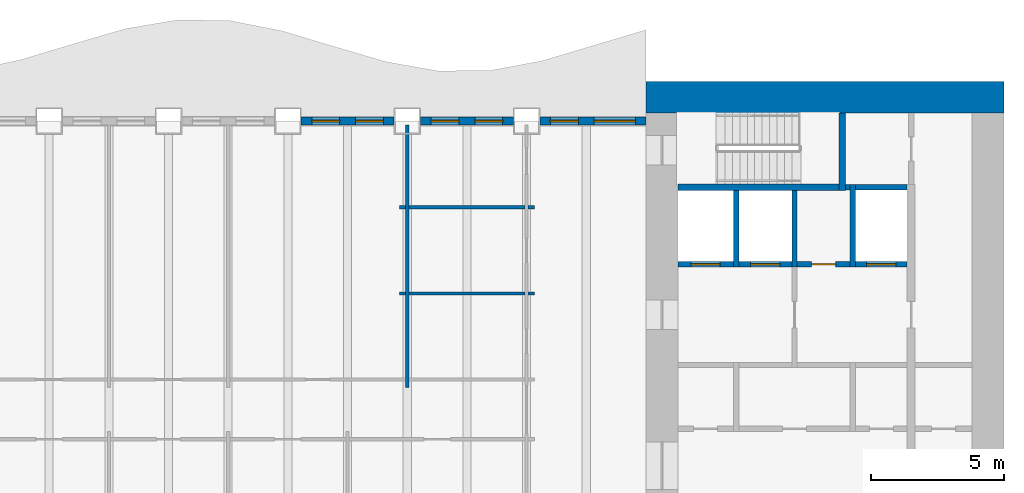
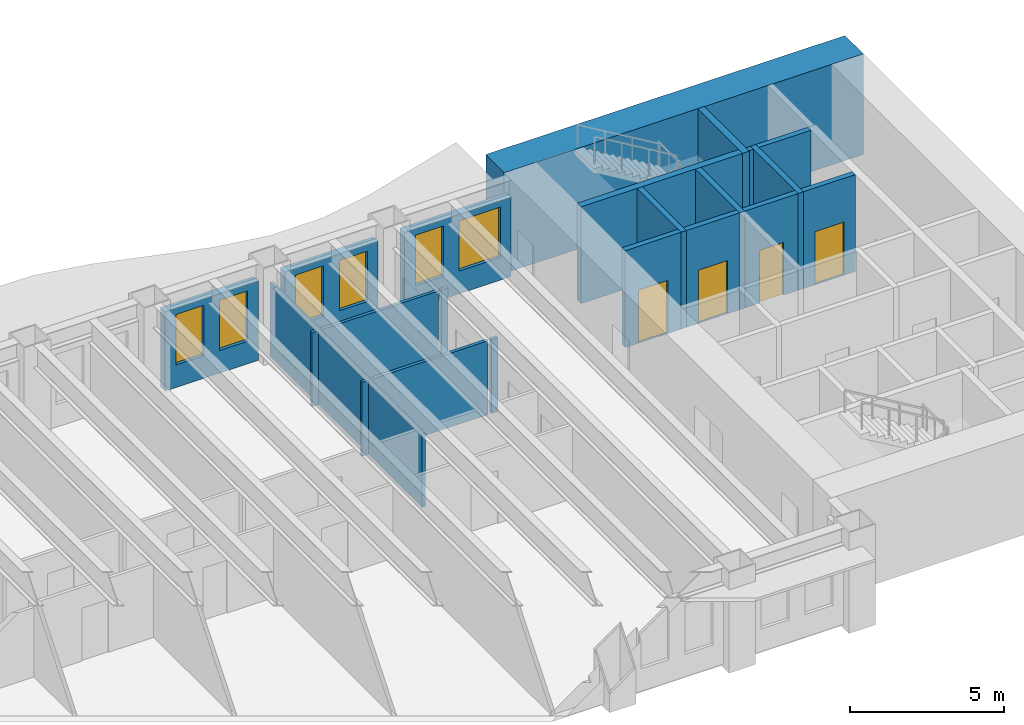
# One storey, part 7 of 16: 22 walls, 6 windows, 4 doors, 10 openings.
"""IFC4 building model written with IfcOpenShell, lengths in metres."""

from ifc_helpers import new_model, si_unit, direction, frame, frame_2d, origin, place, context, subcontext, project, spatial, rectangle, extrude, material, layer, layer_set, type_object, element, fill, save


model = new_model("IFC4")

# Units and contexts
model_context = context("Model", 3, precision=1e-05, world=origin(), true_north=direction((0.0, 1.0)))
body_context = subcontext(model_context, "Body", "Model", "MODEL_VIEW")
ifc_project = project(units=[si_unit("LENGTHUNIT", "METRE"), si_unit("AREAUNIT", "SQUARE_METRE"), si_unit("VOLUMEUNIT", "CUBIC_METRE"), si_unit("PLANEANGLEUNIT", "RADIAN"), si_unit("MASSUNIT", "GRAM", prefix="KILO")], contexts=[model_context])

# Site, building, storey
site_placement = place(None, origin())
site = spatial("IfcSite", under=ifc_project, at=site_placement, CompositionType="ELEMENT")
building_placement = place(site_placement, origin())
building = spatial("IfcBuilding", under=site, at=building_placement, Name="Sennacour Bend Tower", CompositionType="ELEMENT")
storey_placement = place(building_placement, frame((0.0, 0.0, 99.0)))
storey = spatial("IfcBuildingStorey", under=building, at=storey_placement, Name="L22", CompositionType="ELEMENT", Elevation=99.0)

# Walls
ifc_material_1 = material(Name="Concrete C80/95", Category="concrete")
ifc_layer_1 = layer(ifc_material_1, 1.199951171875, Name="Concrete C80/95", Category="concrete")
ifc_layer_set_1 = layer_set([ifc_layer_1], Name="Concrete C80/95")
wall_type_1 = type_object("IfcWallType", Name="Core wall 1200 C80/95", PredefinedType="SHEAR", material=ifc_layer_set_1)
wall_1_placement = place(storey_placement, frame((54.0, 21.89990234375, -0.14990234375), z_axis=(0.0, 0.0, 1.0), x_axis=(1.0, 0.0, 0.0)))
element("IfcWall", 1, at=wall_1_placement, inside=storey, type_object=wall_type_1, Name="Core A wall L22 N", PredefinedType="SHEAR", context=body_context, shape_type="SweptSolid", body=[
    extrude(rectangle(XDim=13.5, YDim=1.199951171875, at=frame_2d((6.75, 0.0))), origin(), (0.0, 0.0, 1.0), 4.0),
])
ifc_material_2 = material(Name="Plasterboard partition on steel studs", Category="steel")
ifc_layer_2 = layer(ifc_material_2, 0.1201171875, Name="Plasterboard partition on steel studs", Category="steel")
ifc_layer_set_2 = layer_set([ifc_layer_2], Name="Plasterboard partition on steel studs")
wall_type_2 = type_object("IfcWallType", Name="Partition 120", PredefinedType="PARTITIONING", material=ifc_layer_set_2)
wall_2_placement = place(storey_placement, frame((45.0, 10.949951171875, 0.0), z_axis=(0.0, 0.0, 1.0), x_axis=(0.0, 1.0, 0.0)))
element("IfcWall", 2, at=wall_2_placement, inside=storey, type_object=wall_type_2, Name="P-L22-W032a", PredefinedType="PARTITIONING", context=body_context, shape_type="SweptSolid", body=[
    extrude(rectangle(XDim=9.900146484375, YDim=0.1201171875, at=frame_2d((4.9501953125, 0.0))), origin(), (0.0, 0.0, 1.0), 2.93798828125),
])
wall_3_placement = place(storey_placement, frame((44.699951171875, 14.5, 0.0), z_axis=(0.0, 0.0, 1.0), x_axis=(1.0, 0.0, 0.0)))
element("IfcWall", 3, at=wall_3_placement, inside=storey, type_object=wall_type_2, Name="P-L22-W062aa", PredefinedType="PARTITIONING", context=body_context, shape_type="SweptSolid", body=[
    extrude(rectangle(XDim=0.239990234375, YDim=0.1201171875, at=frame_2d((0.1201171875, 0.0))), origin(), (0.0, 0.0, 1.0), 2.93798828125),
])
wall_4_placement = place(storey_placement, frame((45.06005859375, 14.5, 0.0), z_axis=(0.0, 0.0, 1.0), x_axis=(1.0, 0.0, 0.0)))
element("IfcWall", 4, at=wall_4_placement, inside=storey, type_object=wall_type_2, Name="P-L22-W062ab", PredefinedType="PARTITIONING", context=body_context, shape_type="SweptSolid", body=[
    extrude(rectangle(XDim=4.3798828125, YDim=0.1201171875, at=frame_2d((2.18994140625, 0.0))), origin(), (0.0, 0.0, 1.0), 2.93798828125),
])
for number, where, z_axis, x_axis, name in (
    (5, (49.56005859375, 14.5, 0.0), (0.0, 0.0, 1.0), (1.0, 0.0, 0.0), "P-L22-W062ac"),
    (6, (44.699951171875, 17.75, 0.0), (0.0, 0.0, 1.0), (1.0, 0.0, 0.0), "P-L22-W067aa"),
):
    element("IfcWall", number, at=place(storey_placement, frame(where, z_axis=z_axis, x_axis=x_axis)), inside=storey, type_object=wall_type_2, Name=name, PredefinedType="PARTITIONING", context=body_context, shape_type="SweptSolid", body=[
        extrude(rectangle(XDim=0.239990234375, YDim=0.1201171875, at=frame_2d((0.1201171875, 0.0))), origin(), (0.0, 0.0, 1.0), 2.93798828125),
    ])
wall_5_placement = place(storey_placement, frame((45.06005859375, 17.75, 0.0), z_axis=(0.0, 0.0, 1.0), x_axis=(1.0, 0.0, 0.0)))
element("IfcWall", 7, at=wall_5_placement, inside=storey, type_object=wall_type_2, Name="P-L22-W067ab", PredefinedType="PARTITIONING", context=body_context, shape_type="SweptSolid", body=[
    extrude(rectangle(XDim=4.3798828125, YDim=0.1201171875, at=frame_2d((2.18994140625, 0.0))), origin(), (0.0, 0.0, 1.0), 2.93798828125),
])
wall_6_placement = place(storey_placement, frame((49.56005859375, 17.75, 0.0), z_axis=(0.0, 0.0, 1.0), x_axis=(1.0, 0.0, 0.0)))
element("IfcWall", 8, at=wall_6_placement, inside=storey, type_object=wall_type_2, Name="P-L22-W067ac", PredefinedType="PARTITIONING", context=body_context, shape_type="SweptSolid", body=[
    extrude(rectangle(XDim=0.239990234375, YDim=0.1201171875, at=frame_2d((0.1201171875, 0.0))), origin(), (0.0, 0.0, 1.0), 2.93798828125),
])

# Wall, opening, door
ifc_material_3 = material(Name="Fire-rated plasterboard partition on steel studs", Category="steel")
ifc_layer_3 = layer(ifc_material_3, 0.199951171875, Name="Fire-rated plasterboard partition on steel studs", Category="steel")
ifc_layer_set_3 = layer_set([ifc_layer_3], Name="Fire-rated plasterboard partition on steel studs")
wall_type_3 = type_object("IfcWallType", Name="Rated partition 200", PredefinedType="PARTITIONING", material=ifc_layer_set_3)
wall_7_placement = place(storey_placement, frame((59.699951171875, 15.60009765625, 0.0), z_axis=(0.0, 0.0, 1.0), x_axis=(1.0, 0.0, 0.0)))
wall_7 = element("IfcWall", 9, at=wall_7_placement, inside=storey, type_object=wall_type_3, Name="P-L22-W064", PredefinedType="PARTITIONING", context=body_context, shape_type="SweptSolid", body=[
    extrude(rectangle(XDim=2.0, YDim=0.199951171875, at=frame_2d((1.0, 0.0))), origin(), (0.0, 0.0, 1.0), 3.85009765625),
])
opening_1_placement = place(wall_7_placement, frame((0.550048828125, 0.0, 0.0)))
opening_1 = element("IfcOpeningElement", 10, at=opening_1_placement, cuts=wall_7, Name="Opening SV", PredefinedType="OPENING", context=body_context, shape_type="SweptSolid", body=[
    extrude(rectangle(XDim=0.89990234375, YDim=2.10009765625, at=frame_2d((0.449951171875, 1.050048828125))), frame((0.0, 0.10986328125, 0.0), z_axis=(0.0, -1.0, 0.0), x_axis=(1.0, 0.0, 0.0)), (0.0, 0.0, 1.0), 0.219970703125),
])
ifc_material_4 = material(Name="Painted steel", Category="steel")
door_type_1 = type_object("IfcDoorType", Name="DR-SERVICE-900", OperationType="NOTDEFINED", PredefinedType="DOOR", material=ifc_material_4)
door_1_placement = place(opening_1_placement, origin())
door_1 = element("IfcDoor", 11, at=door_1_placement, inside=storey, type_object=door_type_1, Name="Door", OperationType="SINGLE_SWING_RIGHT", OverallHeight=2.10009765625, OverallWidth=0.89990234375, PredefinedType="DOOR", context=body_context, shape_type="SweptSolid", body=[
    extrude(rectangle(XDim=0.89990234375, YDim=2.10009765625, at=frame_2d((0.449951171875, 1.050048828125))), frame((0.0, 0.02490234375, 0.0), z_axis=(0.0, -1.0, 0.0), x_axis=(1.0, 0.0, 0.0)), (0.0, 0.0, 1.0), 0.050048828125),
])
fill(opening_1, door_1)

# Wall
wall_8_placement = place(storey_placement, frame((61.52490234375, 18.5, 0.0), z_axis=(0.0, 0.0, 1.0), x_axis=(1.0, 0.0, 0.0)))
element("IfcWall", 12, at=wall_8_placement, inside=storey, type_object=wall_type_3, Name="P-L22-W069", PredefinedType="PARTITIONING", context=body_context, shape_type="SweptSolid", body=[
    extrude(rectangle(XDim=0.175048828125, YDim=0.199951171875, at=frame_2d((0.08740234375, 0.0))), origin(), (0.0, 0.0, 1.0), 3.85009765625),
])

# Wall, openings, windows
ifc_material_5 = material(Name="Warm limestone cladding", Category="masonry")
ifc_layer_4 = layer(ifc_material_5, 0.050048828125, Name="Warm limestone cladding", Category="masonry")
ifc_material_6 = material(Name="Precast concrete C40/50", Category="concrete")
ifc_layer_5 = layer(ifc_material_6, 0.25, Name="Precast concrete C40/50", Category="concrete")
ifc_layer_set_4 = layer_set([ifc_layer_4, ifc_layer_5], Name="Precast concrete C40/50 with limestone cladding")
wall_type_4 = type_object("IfcWallType", Name="STONE-CLAD PRECAST SPANDREL 300", PredefinedType="STANDARD", material=ifc_layer_set_4)
wall_9_placement = place(storey_placement, frame((54.0, 21.0, 0.0), z_axis=(0.0, 0.0, 1.0), x_axis=(-1.0, 0.0, 0.0)))
wall_9 = element("IfcWall", 13, at=wall_9_placement, inside=storey, type_object=wall_type_4, Name="Stone spandrel and pier wall L22 06.00", PredefinedType="STANDARD", context=body_context, shape_type="SweptSolid", body=[
    extrude(rectangle(XDim=4.0, YDim=0.300048828125, at=frame_2d((2.0, 0.0))), origin(), (0.0, 0.0, 1.0), 3.154052734375),
])
opening_2_placement = place(wall_9_placement, frame((0.39990234375, 0.0, 0.89990234375)))
opening_2 = element("IfcOpeningElement", 14, at=opening_2_placement, cuts=wall_9, Name="Opening W9", PredefinedType="OPENING", context=body_context, shape_type="SweptSolid", body=[
    extrude(rectangle(XDim=1.550048828125, YDim=2.0, at=frame_2d((0.77490234375, 1.0))), frame((0.0, 0.16015625, 0.0), z_axis=(0.0, -1.0, 0.0), x_axis=(1.0, 0.0, 0.0)), (0.0, 0.0, 1.0), 0.320068359375),
])
opening_3_placement = place(wall_9_placement, frame((2.550048828125, 0.0, 0.89990234375)))
opening_3 = element("IfcOpeningElement", 15, at=opening_3_placement, cuts=wall_9, Name="Opening W13", PredefinedType="OPENING", context=body_context, shape_type="SweptSolid", body=[
    extrude(rectangle(XDim=1.050048828125, YDim=2.0, at=frame_2d((0.52490234375, 1.0))), frame((0.0, 0.16015625, 0.0), z_axis=(0.0, -1.0, 0.0), x_axis=(1.0, 0.0, 0.0)), (0.0, 0.0, 1.0), 0.320068359375),
])
ifc_material_7 = material(Name="Clear low-emissivity glass", Category="glass")
window_type_1 = type_object("IfcWindowType", Name="WIN-RIBBON-1050x2000", PartitioningType="SINGLE_PANEL", PredefinedType="WINDOW", material=ifc_material_7)
window_1_placement = place(opening_3_placement, origin())
window_1 = element("IfcWindow", 16, at=window_1_placement, inside=storey, type_object=window_type_1, Name="Ribbon window L22 06.00.1", OverallHeight=2.0, OverallWidth=1.050048828125, PartitioningType="SINGLE_PANEL", PredefinedType="WINDOW", context=body_context, shape_type="SweptSolid", body=[
    extrude(rectangle(XDim=1.050048828125, YDim=2.0, at=frame_2d((0.52490234375, 1.0))), frame((0.0, 0.030029296875, 0.0), z_axis=(0.0, -1.0, 0.0), x_axis=(1.0, 0.0, 0.0)), (0.0, 0.0, 1.0), 0.06005859375),
])
fill(opening_3, window_1)
window_type_2 = type_object("IfcWindowType", Name="WIN-RIBBON-1550x2000", PartitioningType="SINGLE_PANEL", PredefinedType="WINDOW", material=ifc_material_7)
window_2_placement = place(opening_2_placement, origin())
window_2 = element("IfcWindow", 17, at=window_2_placement, inside=storey, type_object=window_type_2, Name="Ribbon window L22 06.00.0", OverallHeight=2.0, OverallWidth=1.550048828125, PartitioningType="SINGLE_PANEL", PredefinedType="WINDOW", context=body_context, shape_type="SweptSolid", body=[
    extrude(rectangle(XDim=1.550048828125, YDim=2.0, at=frame_2d((0.77490234375, 1.0))), frame((0.0, 0.030029296875, 0.0), z_axis=(0.0, -1.0, 0.0), x_axis=(1.0, 0.0, 0.0)), (0.0, 0.0, 1.0), 0.06005859375),
])
fill(opening_2, window_2)

wall_10_placement = place(storey_placement, frame((49.0, 21.0, 0.0), z_axis=(0.0, 0.0, 1.0), x_axis=(-1.0, 0.0, 0.0)))
wall_10 = element("IfcWall", 18, at=wall_10_placement, inside=storey, type_object=wall_type_4, Name="Stone spandrel and pier wall L22 06.01", PredefinedType="STANDARD", context=body_context, shape_type="SweptSolid", body=[
    extrude(rectangle(XDim=3.5, YDim=0.300048828125, at=frame_2d((1.75, 0.0))), origin(), (0.0, 0.0, 1.0), 3.154052734375),
])
opening_4_placement = place(wall_10_placement, frame((0.39990234375, 0.0, 0.89990234375)))
opening_4 = element("IfcOpeningElement", 19, at=opening_4_placement, cuts=wall_10, Name="Opening W13", PredefinedType="OPENING", context=body_context, shape_type="SweptSolid", body=[
    extrude(rectangle(XDim=1.050048828125, YDim=2.0, at=frame_2d((0.52490234375, 1.0))), frame((0.0, 0.16015625, 0.0), z_axis=(0.0, -1.0, 0.0), x_axis=(1.0, 0.0, 0.0)), (0.0, 0.0, 1.0), 0.320068359375),
])
opening_5_placement = place(wall_10_placement, frame((2.050048828125, 0.0, 0.89990234375)))
opening_5 = element("IfcOpeningElement", 20, at=opening_5_placement, cuts=wall_10, Name="Opening W13", PredefinedType="OPENING", context=body_context, shape_type="SweptSolid", body=[
    extrude(rectangle(XDim=1.050048828125, YDim=2.0, at=frame_2d((0.52490234375, 1.0))), frame((0.0, 0.16015625, 0.0), z_axis=(0.0, -1.0, 0.0), x_axis=(1.0, 0.0, 0.0)), (0.0, 0.0, 1.0), 0.320068359375),
])
window_3_placement = place(opening_4_placement, origin())
window_3 = element("IfcWindow", 21, at=window_3_placement, inside=storey, type_object=window_type_1, Name="Ribbon window L22 06.01.0", OverallHeight=2.0, OverallWidth=1.050048828125, PartitioningType="SINGLE_PANEL", PredefinedType="WINDOW", context=body_context, shape_type="SweptSolid", body=[
    extrude(rectangle(XDim=1.050048828125, YDim=2.0, at=frame_2d((0.52490234375, 1.0))), frame((0.0, 0.030029296875, 0.0), z_axis=(0.0, -1.0, 0.0), x_axis=(1.0, 0.0, 0.0)), (0.0, 0.0, 1.0), 0.06005859375),
])
fill(opening_4, window_3)
window_4_placement = place(opening_5_placement, origin())
window_4 = element("IfcWindow", 22, at=window_4_placement, inside=storey, type_object=window_type_1, Name="Ribbon window L22 06.01.1", OverallHeight=2.0, OverallWidth=1.050048828125, PartitioningType="SINGLE_PANEL", PredefinedType="WINDOW", context=body_context, shape_type="SweptSolid", body=[
    extrude(rectangle(XDim=1.050048828125, YDim=2.0, at=frame_2d((0.52490234375, 1.0))), frame((0.0, 0.030029296875, 0.0), z_axis=(0.0, -1.0, 0.0), x_axis=(1.0, 0.0, 0.0)), (0.0, 0.0, 1.0), 0.06005859375),
])
fill(opening_5, window_4)

wall_11_placement = place(storey_placement, frame((44.5, 21.0, 0.0), z_axis=(0.0, 0.0, 1.0), x_axis=(-1.0, 0.0, 0.0)))
wall_11 = element("IfcWall", 23, at=wall_11_placement, inside=storey, type_object=wall_type_4, Name="Stone spandrel and pier wall L22 06.02", PredefinedType="STANDARD", context=body_context, shape_type="SweptSolid", body=[
    extrude(rectangle(XDim=3.5, YDim=0.300048828125, at=frame_2d((1.75, 0.0))), origin(), (0.0, 0.0, 1.0), 3.154052734375),
])
opening_6_placement = place(wall_11_placement, frame((0.39990234375, 0.0, 0.89990234375)))
opening_6 = element("IfcOpeningElement", 24, at=opening_6_placement, cuts=wall_11, Name="Opening W13", PredefinedType="OPENING", context=body_context, shape_type="SweptSolid", body=[
    extrude(rectangle(XDim=1.050048828125, YDim=2.0, at=frame_2d((0.52490234375, 1.0))), frame((0.0, 0.16015625, 0.0), z_axis=(0.0, -1.0, 0.0), x_axis=(1.0, 0.0, 0.0)), (0.0, 0.0, 1.0), 0.320068359375),
])
opening_7_placement = place(wall_11_placement, frame((2.050048828125, 0.0, 0.89990234375)))
opening_7 = element("IfcOpeningElement", 25, at=opening_7_placement, cuts=wall_11, Name="Opening W13", PredefinedType="OPENING", context=body_context, shape_type="SweptSolid", body=[
    extrude(rectangle(XDim=1.050048828125, YDim=2.0, at=frame_2d((0.52490234375, 1.0))), frame((0.0, 0.16015625, 0.0), z_axis=(0.0, -1.0, 0.0), x_axis=(1.0, 0.0, 0.0)), (0.0, 0.0, 1.0), 0.320068359375),
])
window_5_placement = place(opening_6_placement, origin())
window_5 = element("IfcWindow", 26, at=window_5_placement, inside=storey, type_object=window_type_1, Name="Ribbon window L22 06.02.0", OverallHeight=2.0, OverallWidth=1.050048828125, PartitioningType="SINGLE_PANEL", PredefinedType="WINDOW", context=body_context, shape_type="SweptSolid", body=[
    extrude(rectangle(XDim=1.050048828125, YDim=2.0, at=frame_2d((0.52490234375, 1.0))), frame((0.0, 0.030029296875, 0.0), z_axis=(0.0, -1.0, 0.0), x_axis=(1.0, 0.0, 0.0)), (0.0, 0.0, 1.0), 0.06005859375),
])
fill(opening_6, window_5)
window_6_placement = place(opening_7_placement, origin())
window_6 = element("IfcWindow", 27, at=window_6_placement, inside=storey, type_object=window_type_1, Name="Ribbon window L22 06.02.1", OverallHeight=2.0, OverallWidth=1.050048828125, PartitioningType="SINGLE_PANEL", PredefinedType="WINDOW", context=body_context, shape_type="SweptSolid", body=[
    extrude(rectangle(XDim=1.050048828125, YDim=2.0, at=frame_2d((0.52490234375, 1.0))), frame((0.0, 0.030029296875, 0.0), z_axis=(0.0, -1.0, 0.0), x_axis=(1.0, 0.0, 0.0)), (0.0, 0.0, 1.0), 0.06005859375),
])
fill(opening_7, window_6)

# Walls
ifc_material_8 = material(Name="Concrete C50/60", Category="concrete")
ifc_layer_6 = layer(ifc_material_8, 0.199951171875, Name="Concrete C50/60", Category="concrete")
ifc_layer_set_5 = layer_set([ifc_layer_6], Name="Concrete C50/60")
wall_type_5 = type_object("IfcWallType", Name="Shaft wall 200", PredefinedType="SOLIDWALL", material=ifc_layer_set_5)
for number, where, z_axis, x_axis, name in (
    (28, (57.39990234375, 15.5, 0.0), (0.0, 0.0, 1.0), (0.0, 1.0, 0.0), "P-L22-W037"),
    (29, (59.60009765625, 15.5, 0.0), (0.0, 0.0, 1.0), (0.0, 1.0, 0.0), "P-L22-W040"),
):
    element("IfcWall", number, at=place(storey_placement, frame(where, z_axis=z_axis, x_axis=x_axis)), inside=storey, type_object=wall_type_5, Name=name, PredefinedType="SOLIDWALL", context=body_context, shape_type="SweptSolid", body=[
        extrude(rectangle(XDim=2.875, YDim=0.199951171875, at=frame_2d((1.4375, 0.0))), origin(), (0.0, 0.0, 1.0), 3.85009765625),
    ])
wall_12_placement = place(storey_placement, frame((61.800048828125, 15.5, 0.0), z_axis=(0.0, 0.0, 1.0), x_axis=(0.0, 1.0, 0.0)))
element("IfcWall", 30, at=wall_12_placement, inside=storey, type_object=wall_type_5, Name="P-L22-W045", PredefinedType="SOLIDWALL", context=body_context, shape_type="SweptSolid", body=[
    extrude(rectangle(XDim=3.10009765625, YDim=0.199951171875, at=frame_2d((1.550048828125, 0.0))), origin(), (0.0, 0.0, 1.0), 3.85009765625),
])

# Wall, opening, door
wall_13_placement = place(storey_placement, frame((55.199951171875, 15.60009765625, 0.0), z_axis=(0.0, 0.0, 1.0), x_axis=(1.0, 0.0, 0.0)))
wall_13 = element("IfcWall", 31, at=wall_13_placement, inside=storey, type_object=wall_type_5, Name="P-L22-W063a", PredefinedType="SOLIDWALL", context=body_context, shape_type="SweptSolid", body=[
    extrude(rectangle(XDim=2.10009765625, YDim=0.199951171875, at=frame_2d((1.050048828125, 0.0))), origin(), (0.0, 0.0, 1.0), 3.85009765625),
])
opening_8_placement = place(wall_13_placement, frame((0.5, 0.0, 0.011962890625)))
opening_8 = element("IfcOpeningElement", 32, at=opening_8_placement, cuts=wall_13, Name="Opening FLD", PredefinedType="OPENING", context=body_context, shape_type="SweptSolid", body=[
    extrude(rectangle(XDim=1.10009765625, YDim=2.10009765625, at=frame_2d((0.550048828125, 1.050048828125))), frame((0.0, 0.10986328125, 0.0), z_axis=(0.0, -1.0, 0.0), x_axis=(1.0, 0.0, 0.0)), (0.0, 0.0, 1.0), 0.219970703125),
])
ifc_material_9 = material(Name="Stainless steel", Category="steel")
door_type_2 = type_object("IfcDoorType", Name="DR-FF-LANDING-1100", OperationType="NOTDEFINED", PredefinedType="DOOR", material=ifc_material_9)
door_2_placement = place(opening_8_placement, origin())
door_2 = element("IfcDoor", 33, at=door_2_placement, inside=storey, type_object=door_type_2, Name="Fire service lift landing door FA1", OperationType="SLIDING_TO_LEFT", OverallHeight=2.10009765625, OverallWidth=1.10009765625, PredefinedType="DOOR", context=body_context, shape_type="SweptSolid", body=[
    extrude(rectangle(XDim=1.10009765625, YDim=2.10009765625, at=frame_2d((0.550048828125, 1.050048828125))), frame((0.0, 0.02490234375, 0.0), z_axis=(0.0, -1.0, 0.0), x_axis=(1.0, 0.0, 0.0)), (0.0, 0.0, 1.0), 0.050048828125),
])
fill(opening_8, door_2)

wall_14_placement = place(storey_placement, frame((57.5, 15.60009765625, 0.0), z_axis=(0.0, 0.0, 1.0), x_axis=(1.0, 0.0, 0.0)))
wall_14 = element("IfcWall", 34, at=wall_14_placement, inside=storey, type_object=wall_type_5, Name="P-L22-W063b", PredefinedType="SOLIDWALL", context=body_context, shape_type="SweptSolid", body=[
    extrude(rectangle(XDim=2.0, YDim=0.199951171875, at=frame_2d((1.0, 0.0))), origin(), (0.0, 0.0, 1.0), 3.85009765625),
])
opening_9_placement = place(wall_14_placement, frame((0.449951171875, 0.0, 0.011962890625)))
opening_9 = element("IfcOpeningElement", 35, at=opening_9_placement, cuts=wall_14, Name="Opening FLD", PredefinedType="OPENING", context=body_context, shape_type="SweptSolid", body=[
    extrude(rectangle(XDim=1.10009765625, YDim=2.10009765625, at=frame_2d((0.550048828125, 1.050048828125))), frame((0.0, 0.10986328125, 0.0), z_axis=(0.0, -1.0, 0.0), x_axis=(1.0, 0.0, 0.0)), (0.0, 0.0, 1.0), 0.219970703125),
])
door_3_placement = place(opening_9_placement, origin())
door_3 = element("IfcDoor", 36, at=door_3_placement, inside=storey, type_object=door_type_2, Name="Fire service lift landing door FA2", OperationType="SLIDING_TO_RIGHT", OverallHeight=2.10009765625, OverallWidth=1.10009765625, PredefinedType="DOOR", context=body_context, shape_type="SweptSolid", body=[
    extrude(rectangle(XDim=1.10009765625, YDim=2.10009765625, at=frame_2d((0.550048828125, 1.050048828125))), frame((0.0, 0.02490234375, 0.0), z_axis=(0.0, -1.0, 0.0), x_axis=(1.0, 0.0, 0.0)), (0.0, 0.0, 1.0), 0.050048828125),
])
fill(opening_9, door_3)

wall_15_placement = place(storey_placement, frame((61.89990234375, 15.60009765625, 0.0), z_axis=(0.0, 0.0, 1.0), x_axis=(1.0, 0.0, 0.0)))
wall_15 = element("IfcWall", 37, at=wall_15_placement, inside=storey, type_object=wall_type_5, Name="P-L22-W065", PredefinedType="SOLIDWALL", context=body_context, shape_type="SweptSolid", body=[
    extrude(rectangle(XDim=1.9501953125, YDim=0.199951171875, at=frame_2d((0.97509765625, 0.0))), origin(), (0.0, 0.0, 1.0), 3.85009765625),
])
opening_10_placement = place(wall_15_placement, frame((0.425048828125, 0.0, 0.011962890625)))
opening_10 = element("IfcOpeningElement", 38, at=opening_10_placement, cuts=wall_15, Name="Opening LD", PredefinedType="OPENING", context=body_context, shape_type="SweptSolid", body=[
    extrude(rectangle(XDim=1.10009765625, YDim=2.10009765625, at=frame_2d((0.550048828125, 1.050048828125))), frame((0.0, 0.10986328125, 0.0), z_axis=(0.0, -1.0, 0.0), x_axis=(1.0, 0.0, 0.0)), (0.0, 0.0, 1.0), 0.219970703125),
])
door_type_3 = type_object("IfcDoorType", Name="DR-LANDING-1100", OperationType="NOTDEFINED", PredefinedType="DOOR", material=ifc_material_9)
door_4_placement = place(opening_10_placement, origin())
door_4 = element("IfcDoor", 39, at=door_4_placement, inside=storey, type_object=door_type_3, Name="Lift landing door LA5", OperationType="SLIDING_TO_LEFT", OverallHeight=2.10009765625, OverallWidth=1.10009765625, PredefinedType="DOOR", context=body_context, shape_type="SweptSolid", body=[
    extrude(rectangle(XDim=1.10009765625, YDim=2.10009765625, at=frame_2d((0.550048828125, 1.050048828125))), frame((0.0, 0.02490234375, 0.0), z_axis=(0.0, -1.0, 0.0), x_axis=(1.0, 0.0, 0.0)), (0.0, 0.0, 1.0), 0.050048828125),
])
fill(opening_10, door_4)

# Walls
wall_16_placement = place(storey_placement, frame((61.89990234375, 18.5, 0.0), z_axis=(0.0, 0.0, 1.0), x_axis=(1.0, 0.0, 0.0)))
element("IfcWall", 40, at=wall_16_placement, inside=storey, type_object=wall_type_5, Name="P-L22-W070", PredefinedType="SOLIDWALL", context=body_context, shape_type="SweptSolid", body=[
    extrude(rectangle(XDim=1.9501953125, YDim=0.199951171875, at=frame_2d((0.97509765625, 0.0))), origin(), (0.0, 0.0, 1.0), 3.85009765625),
])
ifc_material_10 = material(Name="Concrete C60/75", Category="concrete")
ifc_layer_7 = layer(ifc_material_10, 0.25, Name="Concrete C60/75", Category="concrete")
ifc_layer_set_6 = layer_set([ifc_layer_7], Name="Concrete C60/75")
wall_type_6 = type_object("IfcWallType", Name="Stair wall 250", PredefinedType="SHEAR", material=ifc_layer_set_6)
wall_17_placement = place(storey_placement, frame((61.39990234375, 18.375, 0.0), z_axis=(0.0, 0.0, 1.0), x_axis=(0.0, 1.0, 0.0)))
element("IfcWall", 41, at=wall_17_placement, inside=storey, type_object=wall_type_6, Name="P-L22-W042", PredefinedType="SHEAR", context=body_context, shape_type="SweptSolid", body=[
    extrude(rectangle(XDim=2.925048828125, YDim=0.25, at=frame_2d((1.46240234375, 0.0))), origin(), (0.0, 0.0, 1.0), 3.85009765625),
])
wall_18_placement = place(storey_placement, frame((55.199951171875, 18.5, 0.0), z_axis=(0.0, 0.0, 1.0), x_axis=(1.0, 0.0, 0.0)))
element("IfcWall", 42, at=wall_18_placement, inside=storey, type_object=wall_type_6, Name="P-L22-W068", PredefinedType="SHEAR", context=body_context, shape_type="SweptSolid", body=[
    extrude(rectangle(XDim=6.074951171875, YDim=0.25, at=frame_2d((3.03759765625, 0.0))), origin(), (0.0, 0.0, 1.0), 3.85009765625),
])

save(model, "model.ifc")
